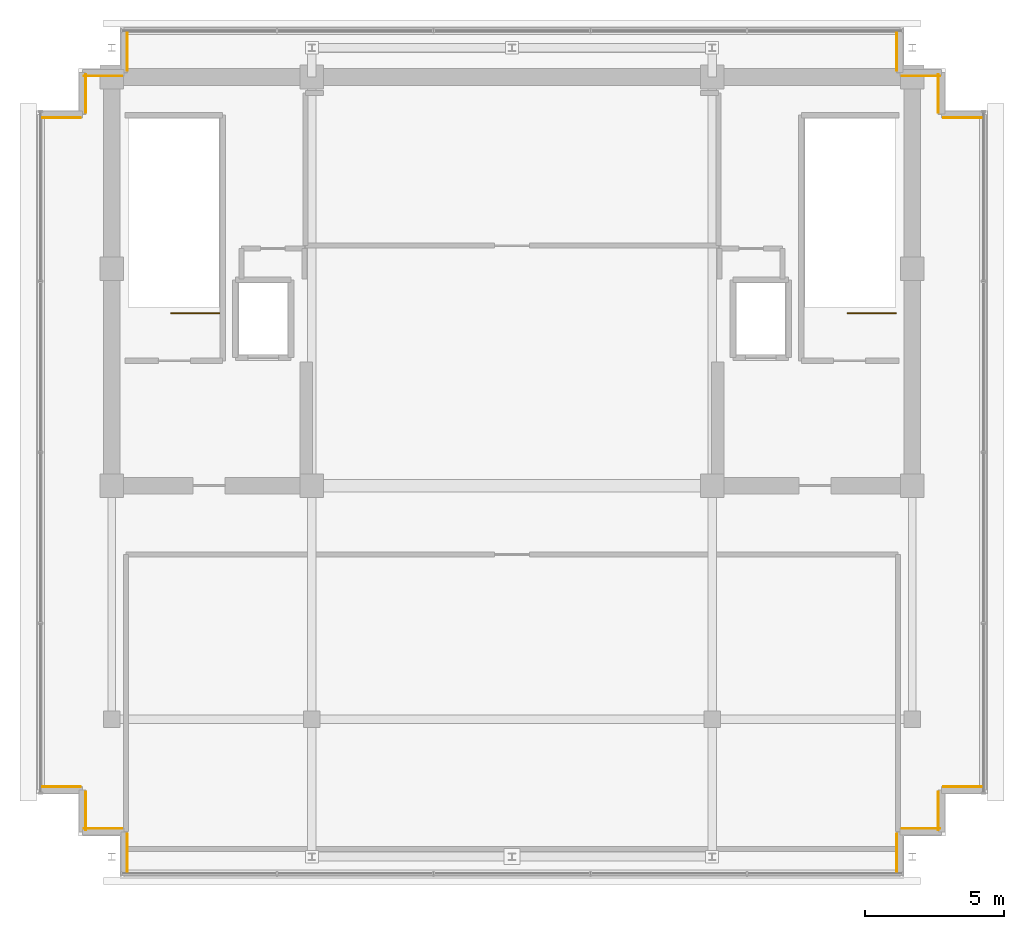
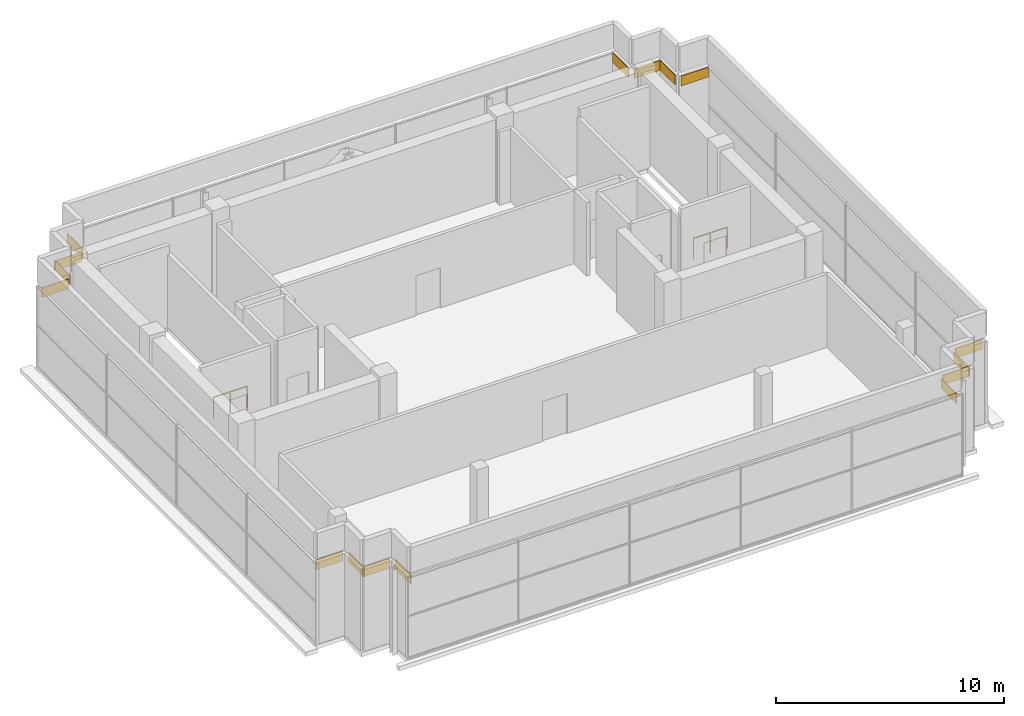
# One storey, part 22 of 22: 16 coverings, 2 railings.
"""IFC4 building model written with IfcOpenShell, lengths in metres."""

from ifc_helpers import new_model, si_unit, direction, frame, origin, origin_2d, place, context, subcontext, project, spatial, rectangle, extrude, source, transform, mapped, material, layer, layer_set, type_object, element, save


model = new_model("IFC4")

# Units and contexts
model_context = context("Model", 3, precision=1e-05, world=origin(), true_north=direction((0.0, 1.0)))
body_context = subcontext(model_context, "Body", "Model", "MODEL_VIEW")
ifc_project = project(units=[si_unit("LENGTHUNIT", "METRE"), si_unit("AREAUNIT", "SQUARE_METRE"), si_unit("VOLUMEUNIT", "CUBIC_METRE"), si_unit("PLANEANGLEUNIT", "RADIAN"), si_unit("MASSUNIT", "GRAM", prefix="KILO")], contexts=[model_context])

# Site, building, storey
site_placement = place(None, origin())
site = spatial("IfcSite", under=ifc_project, at=site_placement, CompositionType="ELEMENT")
building_placement = place(site_placement, origin())
building = spatial("IfcBuilding", under=site, at=building_placement, Name="Zarnakvel Exchange Tower", CompositionType="ELEMENT")
storey_placement = place(building_placement, frame((0.0, 0.0, 299.199951171875)))
storey = spatial("IfcBuildingStorey", under=building, at=storey_placement, Name="Crown L83", CompositionType="ELEMENT", Elevation=299.199951171875)

# Railings
ifc_material_1 = material(Name="Architectural Bronze Anodised Aluminium", Category="aluminium")
railing_type = type_object("IfcRailingType", Name="SG-01", PredefinedType="GUARDRAIL", material=ifc_material_1)
for number, where, name in (
    (1, (-10.5400390625, 5.0, 0.0), "Crown L83 ST-01 top well guard 1"),
    (2, (13.800048828125, 5.0, 0.0), "Crown L83 ST-02 top well guard 1"),
):
    element("IfcRailing", number, at=place(storey_placement, frame(where)), inside=storey, type_object=railing_type, Name=name, PredefinedType="GUARDRAIL", context=body_context, shape_type="SweptSolid", body=[
        extrude(rectangle(XDim=0.048095703125, YDim=0.048095703125, at=origin_2d()), frame((0.0, 0.0, 1.1259765625), z_axis=(-1.0, 0.0, 0.0), x_axis=(0.0, -1.0, 0.0)), (0.0, 0.0, 1.0), 1.7099609375),
        extrude(rectangle(XDim=0.0419921875, YDim=0.0419921875, at=origin_2d()), origin(), (0.0, 0.0, 1.0), 1.101806640625),
        extrude(rectangle(XDim=0.0419921875, YDim=0.0419921875, at=origin_2d()), frame((-0.85498046875, 0.0, 0.0)), (0.0, 0.0, 1.0), 1.101806640625),
        extrude(rectangle(XDim=0.0419921875, YDim=0.0419921875, at=origin_2d()), frame((-1.7099609375, 0.0, 0.0)), (0.0, 0.0, 1.0), 1.101806640625),
    ])

# Coverings
ifc_material_2 = material(Name="Warm Sandstone Terracotta Spandrel Tile", Category="masonry")
ifc_layer = layer(ifc_material_2, 0.031982421875)
ifc_layer_set = layer_set([ifc_layer], Name="Warm Sandstone Terracotta Spandrel Tile")
covering_type = type_object("IfcCoveringType", Name="CL-02", PredefinedType="CLADDING", material=ifc_layer_set)
shared_shape = source(origin(), body_context, "Body", "SweptSolid", [
    extrude(rectangle(XDim=1.3798828125, YDim=0.031982421875, at=origin_2d()), origin(), (0.0, 0.0, 1.0), 0.52001953125),
])
for number, where, z_axis, x_axis, name in (
    (3, (-16.2099609375, 12.035888671875, 3.840087890625), (0.0, 0.0, 1.0), (-1.0, 0.0, 0.0), "Crown L83 Ceramic Spandrel Tilework CL-02"),
    (4, (-15.3359375, 12.909912109375, 3.840087890625), (0.0, 0.0, 1.0), (0.0, -1.0, 0.0), "Crown L83 Ceramic Spandrel Tilework CL-02"),
    (5, (-14.7099609375, 13.535888671875, 3.840087890625), (0.0, 0.0, 1.0), (-1.0, 0.0, 0.0), "Crown L83 Ceramic Spandrel Tilework CL-02"),
    (6, (-13.8359375, 14.409912109375, 3.840087890625), (0.0, 0.0, 1.0), (0.0, -1.0, 0.0), "Crown L83 Ceramic Spandrel Tilework CL-02"),
    (7, (13.8359375, 14.409912109375, 3.840087890625), (0.0, 0.0, 1.0), (0.0, 1.0, 0.0), "Crown L83 Ceramic Spandrel Tilework CL-02"),
    (8, (14.7099609375, 13.535888671875, 3.840087890625), (0.0, 0.0, 1.0), (-1.0, 0.0, 0.0), "Crown L83 Ceramic Spandrel Tilework CL-02"),
    (9, (15.3359375, 12.909912109375, 3.840087890625), (0.0, 0.0, 1.0), (0.0, 1.0, 0.0), "Crown L83 Ceramic Spandrel Tilework CL-02"),
    (10, (16.2099609375, 12.035888671875, 3.840087890625), (0.0, 0.0, 1.0), (-1.0, 0.0, 0.0), "Crown L83 Ceramic Spandrel Tilework CL-02"),
    (11, (16.2099609375, -12.035888671875, 3.840087890625), (0.0, 0.0, 1.0), (1.0, 0.0, 0.0), "Crown L83 Ceramic Spandrel Tilework CL-02"),
    (12, (15.3359375, -12.909912109375, 3.840087890625), (0.0, 0.0, 1.0), (0.0, 1.0, 0.0), "Crown L83 Ceramic Spandrel Tilework CL-02"),
    (13, (14.7099609375, -13.535888671875, 3.840087890625), (0.0, 0.0, 1.0), (1.0, 0.0, 0.0), "Crown L83 Ceramic Spandrel Tilework CL-02"),
    (14, (13.8359375, -14.409912109375, 3.840087890625), (0.0, 0.0, 1.0), (0.0, 1.0, 0.0), "Crown L83 Ceramic Spandrel Tilework CL-02"),
    (15, (-13.8359375, -14.409912109375, 3.840087890625), (0.0, 0.0, 1.0), (0.0, -1.0, 0.0), "Crown L83 Ceramic Spandrel Tilework CL-02"),
    (16, (-14.7099609375, -13.535888671875, 3.840087890625), (0.0, 0.0, 1.0), (1.0, 0.0, 0.0), "Crown L83 Ceramic Spandrel Tilework CL-02"),
    (17, (-15.3359375, -12.909912109375, 3.840087890625), (0.0, 0.0, 1.0), (0.0, -1.0, 0.0), "Crown L83 Ceramic Spandrel Tilework CL-02"),
    (18, (-16.2099609375, -12.035888671875, 3.840087890625), (0.0, 0.0, 1.0), (1.0, 0.0, 0.0), "Crown L83 Ceramic Spandrel Tilework CL-02"),
):
    element("IfcCovering", number, at=place(storey_placement, frame(where, z_axis=z_axis, x_axis=x_axis)), inside=storey, type_object=covering_type, Name=name, PredefinedType="CLADDING", context=body_context, shape_type="MappedRepresentation", body=[
        mapped(shared_shape, transform((0.0, 0.0, 0.0), x_axis=(1.0, 0.0, 0.0), y_axis=(0.0, 1.0, 0.0), z_axis=(0.0, 0.0, 1.0), scale=1.0)),
    ])

save(model, "model.ifc")
